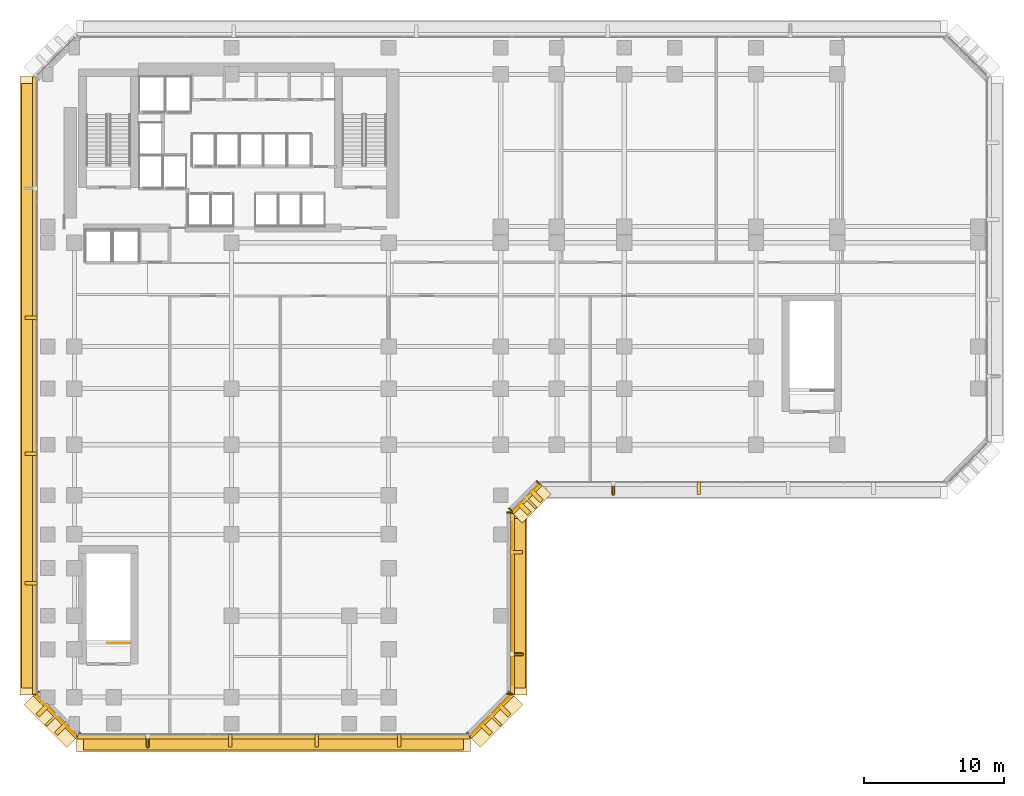
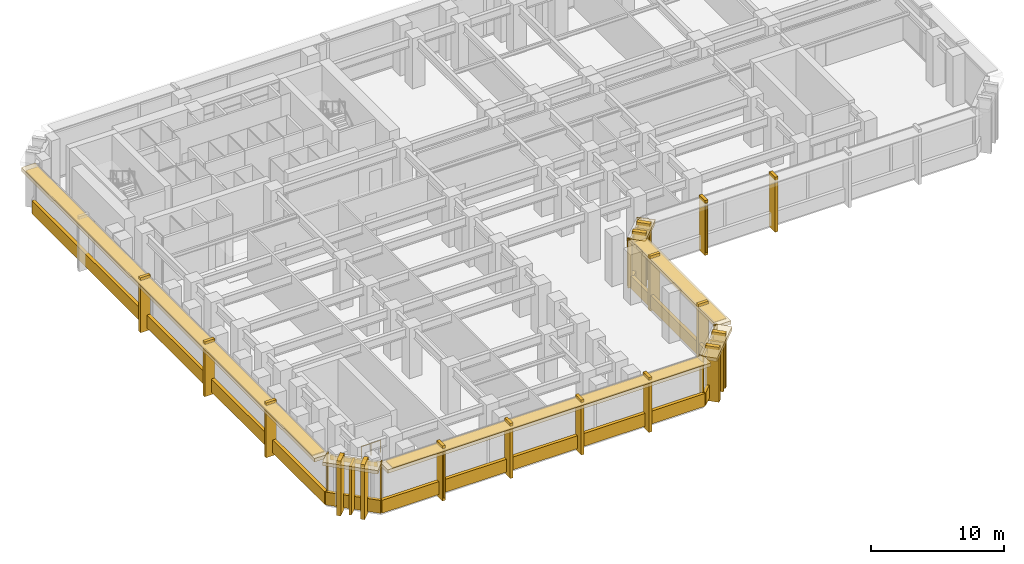
# One storey, part 10 of 14: 41 coverings, 9 shading devices, 1 railing.
"""IFC4 building model written with IfcOpenShell, lengths in metres."""

from ifc_helpers import new_model, si_unit, direction, frame, origin, origin_2d, place, context, subcontext, project, spatial, rectangle, circle, extrude, material, layer, layer_set, material_profile, profile_set, type_object, element, save


model = new_model("IFC4")

# Units and contexts
model_context = context("Model", 3, precision=1e-05, world=origin(), true_north=direction((0.0, 1.0)))
body_context = subcontext(model_context, "Body", "Model", "MODEL_VIEW")
ifc_project = project(units=[si_unit("LENGTHUNIT", "METRE"), si_unit("AREAUNIT", "SQUARE_METRE"), si_unit("VOLUMEUNIT", "CUBIC_METRE"), si_unit("PLANEANGLEUNIT", "RADIAN"), si_unit("MASSUNIT", "GRAM", prefix="KILO")], contexts=[model_context])

# Site, building, storey
site_placement = place(None, origin())
site = spatial("IfcSite", under=ifc_project, at=site_placement, CompositionType="ELEMENT")
building_placement = place(site_placement, origin())
building = spatial("IfcBuilding", under=site, at=building_placement, Name="Kefirva Bronze Tower", CompositionType="ELEMENT")
storey_placement = place(building_placement, frame((0.0, 0.0, 25.739990234375)))
storey = spatial("IfcBuildingStorey", under=building, at=storey_placement, Name="L05", CompositionType="ELEMENT", Elevation=25.739990234375)

# Coverings
ifc_material_1 = material(Name="Bronze anodised aluminium", Category="aluminium")
ifc_layer_1 = layer(ifc_material_1, 0.02001953125, Name="Bronze anodised aluminium")
ifc_layer_set_1 = layer_set([ifc_layer_1], Name="Bronze anodised aluminium")
covering_type_1 = type_object("IfcCoveringType", Name="Anodised Bronze Spandrel Cladding 20mm", PredefinedType="CLADDING", material=ifc_layer_set_1)
covering_1_placement = place(storey_placement, frame((15.0, -2.0400390625, -0.16015625), z_axis=(0.0, 0.0, 1.0), x_axis=(1.0, 0.0, 0.0)))
element("IfcCovering", 1, at=covering_1_placement, inside=storey, type_object=covering_type_1, Name="L05 Streamline Horizontal Spandrel Band 0", PredefinedType="CLADDING", context=body_context, shape_type="SweptSolid", body=[
    extrude(rectangle(XDim=28.0400390625, YDim=0.280029296875, at=origin_2d()), origin(), (0.0, 0.0, 1.0), 1.179931640625),
])
covering_2_placement = place(storey_placement, frame((30.507080078125, -0.507080078125, 3.949951171875), z_axis=(0.0, 0.0, 1.0), x_axis=(0.707106781187, 0.707106781187, 0.0)))
element("IfcCovering", 2, at=covering_2_placement, inside=storey, type_object=covering_type_1, Name="L05 Bronze Spandrel Cladding 1", PredefinedType="CLADDING", context=body_context, shape_type="SweptSolid", body=[
    extrude(rectangle(XDim=3.719482421875, YDim=0.02001953125, at=origin_2d()), origin(), (0.0, 0.0, 1.0), 0.39990234375),
])
for number, where, z_axis, x_axis, name in (
    (3, (28.8974609375, -1.847900390625, 0.0), (0.0, 0.0, 1.0), (0.707106781187, 0.707106781187, 0.0), "L05 Facade Joint Closure Panel 1S"),
    (4, (31.847900390625, 1.1025390625, 0.0), (0.0, 0.0, 1.0), (0.707106781187, 0.707106781187, 0.0), "L05 Facade Joint Closure Panel 1E"),
):
    element("IfcCovering", number, at=place(storey_placement, frame(where, z_axis=z_axis, x_axis=x_axis)), inside=storey, type_object=covering_type_1, Name=name, PredefinedType="CLADDING", context=body_context, shape_type="SweptSolid", body=[
        extrude(rectangle(XDim=0.10009765625, YDim=0.360107421875, at=origin_2d()), origin(), (0.0, 0.0, 1.0), 4.3701171875),
    ])
covering_3_placement = place(storey_placement, frame((30.5283203125, -0.5283203125, -0.16015625), z_axis=(0.0, 0.0, 1.0), x_axis=(0.707106781187, 0.707106781187, 0.0)))
element("IfcCovering", 5, at=covering_3_placement, inside=storey, type_object=covering_type_1, Name="L05 Streamline Horizontal Spandrel Band 1", PredefinedType="CLADDING", context=body_context, shape_type="SweptSolid", body=[
    extrude(rectangle(XDim=4.28271484375, YDim=0.280029296875, at=origin_2d()), origin(), (0.0, 0.0, 1.0), 1.179931640625),
])
covering_4_placement = place(storey_placement, frame((32.010009765625, 7.5, 3.949951171875), z_axis=(0.0, 0.0, 1.0), x_axis=(0.0, 1.0, 0.0)))
element("IfcCovering", 6, at=covering_4_placement, inside=storey, type_object=covering_type_1, Name="L05 Bronze Spandrel Cladding 2", PredefinedType="CLADDING", context=body_context, shape_type="SweptSolid", body=[
    extrude(rectangle(XDim=11.60107421875, YDim=0.02001953125, at=origin_2d()), origin(), (0.0, 0.0, 1.0), 0.39990234375),
])
for number, where, z_axis, x_axis, name in (
    (7, (31.820068359375, 1.034912109375, 0.0), (0.0, 0.0, 1.0), (0.0, 1.0, 0.0), "L05 Facade Joint Closure Panel 2S"),
    (8, (31.820068359375, 13.965087890625, 0.0), (0.0, 0.0, 1.0), (0.0, 1.0, 0.0), "L05 Facade Joint Closure Panel 2E"),
):
    element("IfcCovering", number, at=place(storey_placement, frame(where, z_axis=z_axis, x_axis=x_axis)), inside=storey, type_object=covering_type_1, Name=name, PredefinedType="CLADDING", context=body_context, shape_type="SweptSolid", body=[
        extrude(rectangle(XDim=0.10009765625, YDim=0.360107421875, at=origin_2d()), origin(), (0.0, 0.0, 1.0), 4.3701171875),
    ])
covering_5_placement = place(storey_placement, frame((32.0400390625, 7.5, -0.16015625), z_axis=(0.0, 0.0, 1.0), x_axis=(0.0, 1.0, 0.0)))
element("IfcCovering", 9, at=covering_5_placement, inside=storey, type_object=covering_type_1, Name="L05 Streamline Horizontal Spandrel Band 2", PredefinedType="CLADDING", context=body_context, shape_type="SweptSolid", body=[
    extrude(rectangle(XDim=13.0400390625, YDim=0.280029296875, at=origin_2d()), origin(), (0.0, 0.0, 1.0), 1.179931640625),
])
covering_6_placement = place(storey_placement, frame((33.007080078125, 14.992919921875, 3.949951171875), z_axis=(0.0, 0.0, 1.0), x_axis=(0.707106781187, 0.707106781187, 0.0)))
element("IfcCovering", 10, at=covering_6_placement, inside=storey, type_object=covering_type_1, Name="L05 Bronze Spandrel Cladding 3", PredefinedType="CLADDING", context=body_context, shape_type="SweptSolid", body=[
    extrude(rectangle(XDim=2.446533203125, YDim=0.02001953125, at=origin_2d()), origin(), (0.0, 0.0, 1.0), 0.39990234375),
])
for number, where, z_axis, x_axis, name in (
    (11, (31.8974609375, 14.152099609375, 0.0), (0.0, 0.0, 1.0), (0.707106781187, 0.707106781187, 0.0), "L05 Facade Joint Closure Panel 3S"),
    (12, (33.847900390625, 16.1025390625, 0.0), (0.0, 0.0, 1.0), (0.707106781187, 0.707106781187, 0.0), "L05 Facade Joint Closure Panel 3E"),
):
    element("IfcCovering", number, at=place(storey_placement, frame(where, z_axis=z_axis, x_axis=x_axis)), inside=storey, type_object=covering_type_1, Name=name, PredefinedType="CLADDING", context=body_context, shape_type="SweptSolid", body=[
        extrude(rectangle(XDim=0.10009765625, YDim=0.360107421875, at=origin_2d()), origin(), (0.0, 0.0, 1.0), 4.3701171875),
    ])
covering_7_placement = place(storey_placement, frame((33.0283203125, 14.9716796875, -0.16015625), z_axis=(0.0, 0.0, 1.0), x_axis=(0.707106781187, 0.707106781187, 0.0)))
element("IfcCovering", 13, at=covering_7_placement, inside=storey, type_object=covering_type_1, Name="L05 Streamline Horizontal Spandrel Band 3", PredefinedType="CLADDING", context=body_context, shape_type="SweptSolid", body=[
    extrude(rectangle(XDim=2.868408203125, YDim=0.280029296875, at=origin_2d()), origin(), (0.0, 0.0, 1.0), 1.179931640625),
])
covering_8_placement = place(storey_placement, frame((-2.0400390625, 23.0, -0.16015625), z_axis=(0.0, 0.0, 1.0), x_axis=(0.0, -1.0, 0.0)))
element("IfcCovering", 14, at=covering_8_placement, inside=storey, type_object=covering_type_1, Name="L05 Streamline Horizontal Spandrel Band 10", PredefinedType="CLADDING", context=body_context, shape_type="SweptSolid", body=[
    extrude(rectangle(XDim=44.0400390625, YDim=0.280029296875, at=origin_2d()), origin(), (0.0, 0.0, 1.0), 1.179931640625),
])
covering_9_placement = place(storey_placement, frame((-0.507080078125, -0.507080078125, 3.949951171875), z_axis=(0.0, 0.0, 1.0), x_axis=(0.707106781187, -0.707106781187, 0.0)))
element("IfcCovering", 15, at=covering_9_placement, inside=storey, type_object=covering_type_1, Name="L05 Bronze Spandrel Cladding 7", PredefinedType="CLADDING", context=body_context, shape_type="SweptSolid", body=[
    extrude(rectangle(XDim=3.719482421875, YDim=0.02001953125, at=origin_2d()), origin(), (0.0, 0.0, 1.0), 0.39990234375),
])
for number, where, z_axis, x_axis, name in (
    (16, (-1.847900390625, 1.1025390625, 0.0), (0.0, 0.0, 1.0), (0.707106781187, -0.707106781187, 0.0), "L05 Facade Joint Closure Panel 7S"),
    (17, (1.1025390625, -1.847900390625, 0.0), (0.0, 0.0, 1.0), (0.707106781187, -0.707106781187, 0.0), "L05 Facade Joint Closure Panel 7E"),
):
    element("IfcCovering", number, at=place(storey_placement, frame(where, z_axis=z_axis, x_axis=x_axis)), inside=storey, type_object=covering_type_1, Name=name, PredefinedType="CLADDING", context=body_context, shape_type="SweptSolid", body=[
        extrude(rectangle(XDim=0.10009765625, YDim=0.360107421875, at=origin_2d()), origin(), (0.0, 0.0, 1.0), 4.3701171875),
    ])
covering_10_placement = place(storey_placement, frame((-0.5283203125, -0.5283203125, -0.16015625), z_axis=(0.0, 0.0, 1.0), x_axis=(0.707106781187, -0.707106781187, 0.0)))
element("IfcCovering", 18, at=covering_10_placement, inside=storey, type_object=covering_type_1, Name="L05 Streamline Horizontal Spandrel Band 11", PredefinedType="CLADDING", context=body_context, shape_type="SweptSolid", body=[
    extrude(rectangle(XDim=4.28271484375, YDim=0.280029296875, at=origin_2d()), origin(), (0.0, 0.0, 1.0), 1.179931640625),
])

# Shading devices
ifc_material_profile_1 = material_profile(ifc_material_1, rectangle(XDim=0.179931640625, YDim=1.080078125, at=origin_2d()), Name="BRONZE BUTTRESS FIN 180x1080")
ifc_profile_set_1 = profile_set([ifc_material_profile_1], Name="Bronze anodised aluminium")
shading_device_type_1 = type_object("IfcShadingDeviceType", Name="Chamfered Corner Buttress Bronze Fin 1080mm", PredefinedType="USERDEFINED", material=ifc_profile_set_1)
for number, where, z_axis, x_axis, name in (
    (19, (30.8251953125, -0.8251953125, -0.139892578125), (0.0, 0.0, 1.0), (0.707106781187, 0.707106781187, 0.0), "L05 Chamfered Corner Buttress Fin 6"),
    (20, (33.3251953125, 14.6748046875, -0.139892578125), (0.0, 0.0, 1.0), (0.707106781187, 0.707106781187, 0.0), "L05 Chamfered Corner Buttress Fin 10"),
    (21, (-0.8251953125, -0.8251953125, -0.139892578125), (0.0, 0.0, 1.0), (0.707106781187, -0.707106781187, 0.0), "L05 Chamfered Corner Buttress Fin 34"),
):
    element("IfcShadingDevice", number, at=place(storey_placement, frame(where, z_axis=z_axis, x_axis=x_axis)), inside=storey, type_object=shading_device_type_1, Name=name, ObjectType="VERTICAL FIN", PredefinedType="USERDEFINED", context=body_context, shape_type="SweptSolid", body=[
        extrude(rectangle(XDim=0.179931640625, YDim=1.080078125, at=origin_2d()), origin(), (0.0, 0.0, 1.0), 4.510009765625),
    ])

# Railing
ifc_material_2 = material(Name="Stainless steel 316", Category="steel")
railing_type = type_object("IfcRailingType", Name="Interior Stair Guardrail 1100mm", PredefinedType="GUARDRAIL", material=ifc_material_2)
railing_placement = place(storey_placement, frame((4.800048828125, 4.64990234375, 0.0)))
element("IfcRailing", 22, at=railing_placement, inside=storey, type_object=railing_type, Name="L05 ST-3 top well guard 1", PredefinedType="GUARDRAIL", context=body_context, shape_type="SweptSolid", body=[
    extrude(circle(Radius=0.02392578125, at=origin_2d()), frame((0.0, 0.0, 1.076171875), z_axis=(-1.0, 0.0, 0.0), x_axis=(0.0, -1.0, 0.0)), (0.0, 0.0, 1.0), 1.650146484375),
    extrude(circle(Radius=0.02099609375, at=origin_2d()), origin(), (0.0, 0.0, 1.0), 1.052001953125),
    extrude(circle(Radius=0.02099609375, at=origin_2d()), frame((-0.8251953125, 0.0, 0.0)), (0.0, 0.0, 1.0), 1.052001953125),
    extrude(circle(Radius=0.02099609375, at=origin_2d()), frame((-1.650146484375, 0.0, 0.0)), (0.0, 0.0, 1.0), 1.052001953125),
])

# Shading devices
ifc_layer_2 = layer(ifc_material_1, 0.1201171875, Name="Bronze anodised aluminium")
ifc_layer_set_2 = layer_set([ifc_layer_2], Name="Bronze anodised aluminium")
shading_device_type_2 = type_object("IfcShadingDeviceType", Name="Podium Deep Bronze Canopy Sunshade 1050mm", PredefinedType="JALOUSIE", material=ifc_layer_set_2)
shading_device_1_placement = place(storey_placement, frame((15.0, -2.445068359375, 4.26513671875), z_axis=(0.0, 0.0, 1.0), x_axis=(1.0, 0.0, 0.0)))
element("IfcShadingDevice", 23, at=shading_device_1_placement, inside=storey, type_object=shading_device_type_2, Name="L05 Horizontal Bronze Sunshade Band 0", PredefinedType="JALOUSIE", context=body_context, shape_type="SweptSolid", body=[
    extrude(rectangle(XDim=27.090087890625, YDim=1.050048828125, at=origin_2d()), origin(), (0.0, 0.0, 1.0), 0.090087890625),
])
shading_device_2_placement = place(storey_placement, frame((32.445068359375, 7.5, 4.26513671875), z_axis=(0.0, 0.0, 1.0), x_axis=(0.0, 1.0, 0.0)))
element("IfcShadingDevice", 24, at=shading_device_2_placement, inside=storey, type_object=shading_device_type_2, Name="L05 Horizontal Bronze Sunshade Band 2", PredefinedType="JALOUSIE", context=body_context, shape_type="SweptSolid", body=[
    extrude(rectangle(XDim=12.090087890625, YDim=1.050048828125, at=origin_2d()), origin(), (0.0, 0.0, 1.0), 0.090087890625),
])
shading_device_3_placement = place(storey_placement, frame((-2.445068359375, 23.0, 4.26513671875), z_axis=(0.0, 0.0, 1.0), x_axis=(0.0, -1.0, 0.0)))
element("IfcShadingDevice", 25, at=shading_device_3_placement, inside=storey, type_object=shading_device_type_2, Name="L05 Horizontal Bronze Sunshade Band 10", PredefinedType="JALOUSIE", context=body_context, shape_type="SweptSolid", body=[
    extrude(rectangle(XDim=43.090087890625, YDim=1.050048828125, at=origin_2d()), origin(), (0.0, 0.0, 1.0), 0.090087890625),
])

# Coverings
ifc_layer_3 = layer(ifc_material_1, 0.179931640625, Name="Bronze anodised aluminium")
ifc_layer_set_3 = layer_set([ifc_layer_3], Name="Bronze anodised aluminium")
covering_type_2 = type_object("IfcCoveringType", Name="Streamline Bronze Sunshade Eyebrow Cladding 180mm", PredefinedType="CLADDING", material=ifc_layer_set_3)
covering_11_placement = place(storey_placement, frame((15.0, -2.4599609375, 4.0498046875), z_axis=(0.0, 0.0, 1.0), x_axis=(1.0, 0.0, 0.0)))
element("IfcCovering", 26, at=covering_11_placement, inside=storey, type_object=covering_type_2, Name="L05 Streamline Bronze Sunshade Eyebrow 0", PredefinedType="CLADDING", context=body_context, shape_type="SweptSolid", body=[
    extrude(rectangle(XDim=28.080078125, YDim=1.239990234375, at=origin_2d()), origin(), (0.0, 0.0, 1.0), 0.320068359375),
])
covering_12_placement = place(storey_placement, frame((30.8251953125, -0.8251953125, 4.0498046875), z_axis=(0.0, 0.0, 1.0), x_axis=(0.707106781187, 0.707106781187, 0.0)))
element("IfcCovering", 27, at=covering_12_placement, inside=storey, type_object=covering_type_2, Name="L05 Streamline Bronze Sunshade Eyebrow 1", PredefinedType="CLADDING", context=body_context, shape_type="SweptSolid", body=[
    extrude(rectangle(XDim=4.322509765625, YDim=1.239990234375, at=origin_2d()), origin(), (0.0, 0.0, 1.0), 0.320068359375),
])
covering_13_placement = place(storey_placement, frame((32.4599609375, 7.5, 4.0498046875), z_axis=(0.0, 0.0, 1.0), x_axis=(0.0, 1.0, 0.0)))
element("IfcCovering", 28, at=covering_13_placement, inside=storey, type_object=covering_type_2, Name="L05 Streamline Bronze Sunshade Eyebrow 2", PredefinedType="CLADDING", context=body_context, shape_type="SweptSolid", body=[
    extrude(rectangle(XDim=13.080078125, YDim=1.239990234375, at=origin_2d()), origin(), (0.0, 0.0, 1.0), 0.320068359375),
])
covering_14_placement = place(storey_placement, frame((33.3251953125, 14.6748046875, 4.0498046875), z_axis=(0.0, 0.0, 1.0), x_axis=(0.707106781187, 0.707106781187, 0.0)))
element("IfcCovering", 29, at=covering_14_placement, inside=storey, type_object=covering_type_2, Name="L05 Streamline Bronze Sunshade Eyebrow 3", PredefinedType="CLADDING", context=body_context, shape_type="SweptSolid", body=[
    extrude(rectangle(XDim=2.908447265625, YDim=1.239990234375, at=origin_2d()), origin(), (0.0, 0.0, 1.0), 0.320068359375),
])
covering_15_placement = place(storey_placement, frame((-2.4599609375, 23.0, 4.0498046875), z_axis=(0.0, 0.0, 1.0), x_axis=(0.0, -1.0, 0.0)))
element("IfcCovering", 30, at=covering_15_placement, inside=storey, type_object=covering_type_2, Name="L05 Streamline Bronze Sunshade Eyebrow 10", PredefinedType="CLADDING", context=body_context, shape_type="SweptSolid", body=[
    extrude(rectangle(XDim=44.080078125, YDim=1.239990234375, at=origin_2d()), origin(), (0.0, 0.0, 1.0), 0.320068359375),
])
covering_16_placement = place(storey_placement, frame((-0.8251953125, -0.8251953125, 4.0498046875), z_axis=(0.0, 0.0, 1.0), x_axis=(0.707106781187, -0.707106781187, 0.0)))
element("IfcCovering", 31, at=covering_16_placement, inside=storey, type_object=covering_type_2, Name="L05 Streamline Bronze Sunshade Eyebrow 11", PredefinedType="CLADDING", context=body_context, shape_type="SweptSolid", body=[
    extrude(rectangle(XDim=4.322509765625, YDim=1.239990234375, at=origin_2d()), origin(), (0.0, 0.0, 1.0), 0.320068359375),
])
ifc_layer_4 = layer(ifc_material_1, 0.260009765625, Name="Bronze anodised aluminium")
ifc_layer_set_4 = layer_set([ifc_layer_4], Name="Bronze anodised aluminium")
covering_type_3 = type_object("IfcCoveringType", Name="Unbroken Bronze Buttress Fin Cladding 260mm", PredefinedType="CLADDING", material=ifc_layer_set_4)
for number, where, z_axis, x_axis, name in (
    (32, (6.0400390625, -2.300048828125, -0.419921875), (0.0, 0.0, 1.0), (1.0, 0.0, 0.0), "L05 Unbroken Vertical Bronze Rib Fin 1"),
    (33, (11.919921875, -2.300048828125, -0.419921875), (0.0, 0.0, 1.0), (1.0, 0.0, 0.0), "L05 Unbroken Vertical Bronze Rib Fin 2"),
    (34, (18.080078125, -2.300048828125, -0.419921875), (0.0, 0.0, 1.0), (1.0, 0.0, 0.0), "L05 Unbroken Vertical Bronze Rib Fin 3"),
    (35, (23.9599609375, -2.300048828125, -0.419921875), (0.0, 0.0, 1.0), (1.0, 0.0, 0.0), "L05 Unbroken Vertical Bronze Rib Fin 4"),
):
    element("IfcCovering", number, at=place(storey_placement, frame(where, z_axis=z_axis, x_axis=x_axis)), inside=storey, type_object=covering_type_3, Name=name, PredefinedType="CLADDING", context=body_context, shape_type="SweptSolid", body=[
        extrude(rectangle(XDim=0.260009765625, YDim=0.8798828125, at=origin_2d()), origin(), (0.0, 0.0, 1.0), 5.0400390625),
    ])
for number, where, z_axis, x_axis, name in (
    (36, (30.122802734375, -1.44287109375, -0.419921875), (0.0, 0.0, 1.0), (0.707106781187, 0.707106781187, 0.0), "L05 Chamfered Corner Buttress Fin Cladding 5"),
    (37, (31.44287109375, -0.122802734375, -0.419921875), (0.0, 0.0, 1.0), (0.707106781187, 0.707106781187, 0.0), "L05 Chamfered Corner Buttress Fin Cladding 6"),
):
    element("IfcCovering", number, at=place(storey_placement, frame(where, z_axis=z_axis, x_axis=x_axis)), inside=storey, type_object=covering_type_3, Name=name, PredefinedType="CLADDING", context=body_context, shape_type="SweptSolid", body=[
        extrude(rectangle(XDim=0.340087890625, YDim=1.080078125, at=origin_2d()), origin(), (0.0, 0.0, 1.0), 5.0400390625),
    ])
for number, where, z_axis, x_axis, name in (
    (38, (32.300048828125, 3.860107421875, -0.419921875), (0.0, 0.0, 1.0), (0.0, 1.0, 0.0), "L05 Unbroken Vertical Bronze Rib Fin 7"),
    (39, (32.300048828125, 11.139892578125, -0.419921875), (0.0, 0.0, 1.0), (0.0, 1.0, 0.0), "L05 Unbroken Vertical Bronze Rib Fin 8"),
):
    element("IfcCovering", number, at=place(storey_placement, frame(where, z_axis=z_axis, x_axis=x_axis)), inside=storey, type_object=covering_type_3, Name=name, PredefinedType="CLADDING", context=body_context, shape_type="SweptSolid", body=[
        extrude(rectangle(XDim=0.260009765625, YDim=0.8798828125, at=origin_2d()), origin(), (0.0, 0.0, 1.0), 5.0400390625),
    ])
for number, where, z_axis, x_axis, name in (
    (40, (32.8427734375, 14.277099609375, -0.419921875), (0.0, 0.0, 1.0), (0.707106781187, 0.707106781187, 0.0), "L05 Chamfered Corner Buttress Fin Cladding 9"),
    (41, (33.722900390625, 15.1572265625, -0.419921875), (0.0, 0.0, 1.0), (0.707106781187, 0.707106781187, 0.0), "L05 Chamfered Corner Buttress Fin Cladding 10"),
):
    element("IfcCovering", number, at=place(storey_placement, frame(where, z_axis=z_axis, x_axis=x_axis)), inside=storey, type_object=covering_type_3, Name=name, PredefinedType="CLADDING", context=body_context, shape_type="SweptSolid", body=[
        extrude(rectangle(XDim=0.340087890625, YDim=1.080078125, at=origin_2d()), origin(), (0.0, 0.0, 1.0), 5.0400390625),
    ])
for number, where, z_axis, x_axis, name in (
    (42, (39.219970703125, 15.699951171875, -0.419921875), (0.0, 0.0, 1.0), (1.0, 0.0, 0.0), "L05 Unbroken Vertical Bronze Rib Fin 11"),
    (43, (45.31005859375, 15.699951171875, -0.419921875), (0.0, 0.0, 1.0), (1.0, 0.0, 0.0), "L05 Unbroken Vertical Bronze Rib Fin 12"),
    (44, (-2.300048828125, 27.840087890625, -0.419921875), (0.0, 0.0, 1.0), (0.0, -1.0, 0.0), "L05 Unbroken Vertical Bronze Rib Fin 30"),
    (45, (-2.300048828125, 18.159912109375, -0.419921875), (0.0, 0.0, 1.0), (0.0, -1.0, 0.0), "L05 Unbroken Vertical Bronze Rib Fin 31"),
    (46, (-2.300048828125, 8.919921875, -0.419921875), (0.0, 0.0, 1.0), (0.0, -1.0, 0.0), "L05 Unbroken Vertical Bronze Rib Fin 32"),
):
    element("IfcCovering", number, at=place(storey_placement, frame(where, z_axis=z_axis, x_axis=x_axis)), inside=storey, type_object=covering_type_3, Name=name, PredefinedType="CLADDING", context=body_context, shape_type="SweptSolid", body=[
        extrude(rectangle(XDim=0.260009765625, YDim=0.8798828125, at=origin_2d()), origin(), (0.0, 0.0, 1.0), 5.0400390625),
    ])
for number, where, z_axis, x_axis, name in (
    (47, (-1.44287109375, -0.122802734375, -0.419921875), (0.0, 0.0, 1.0), (0.707106781187, -0.707106781187, 0.0), "L05 Chamfered Corner Buttress Fin Cladding 33"),
    (48, (-0.122802734375, -1.44287109375, -0.419921875), (0.0, 0.0, 1.0), (0.707106781187, -0.707106781187, 0.0), "L05 Chamfered Corner Buttress Fin Cladding 34"),
):
    element("IfcCovering", number, at=place(storey_placement, frame(where, z_axis=z_axis, x_axis=x_axis)), inside=storey, type_object=covering_type_3, Name=name, PredefinedType="CLADDING", context=body_context, shape_type="SweptSolid", body=[
        extrude(rectangle(XDim=0.340087890625, YDim=1.080078125, at=origin_2d()), origin(), (0.0, 0.0, 1.0), 5.0400390625),
    ])

# Shading devices
ifc_material_profile_2 = material_profile(ifc_material_1, rectangle(XDim=0.139892578125, YDim=0.8798828125, at=origin_2d()), Name="BRONZE FIN 140x880")
ifc_profile_set_2 = profile_set([ifc_material_profile_2], Name="Bronze anodised aluminium")
shading_device_type_3 = type_object("IfcShadingDeviceType", Name="Unbroken Vertical Bronze Facade Fin 880mm", PredefinedType="USERDEFINED", material=ifc_profile_set_2)
for number, where, z_axis, x_axis, name in (
    (49, (6.0400390625, -2.360107421875, -0.139892578125), (0.0, 0.0, 1.0), (1.0, 0.0, 0.0), "L05 Vertical Bronze Rib Fin 1"),
    (50, (32.360107421875, 3.860107421875, -0.139892578125), (0.0, 0.0, 1.0), (0.0, 1.0, 0.0), "L05 Vertical Bronze Rib Fin 7"),
    (51, (39.219970703125, 15.639892578125, -0.139892578125), (0.0, 0.0, 1.0), (1.0, 0.0, 0.0), "L05 Vertical Bronze Rib Fin 11"),
):
    element("IfcShadingDevice", number, at=place(storey_placement, frame(where, z_axis=z_axis, x_axis=x_axis)), inside=storey, type_object=shading_device_type_3, Name=name, ObjectType="VERTICAL FIN", PredefinedType="USERDEFINED", context=body_context, shape_type="SweptSolid", body=[
        extrude(rectangle(XDim=0.139892578125, YDim=0.8798828125, at=origin_2d()), origin(), (0.0, 0.0, 1.0), 4.510009765625),
    ])

save(model, "model.ifc")
